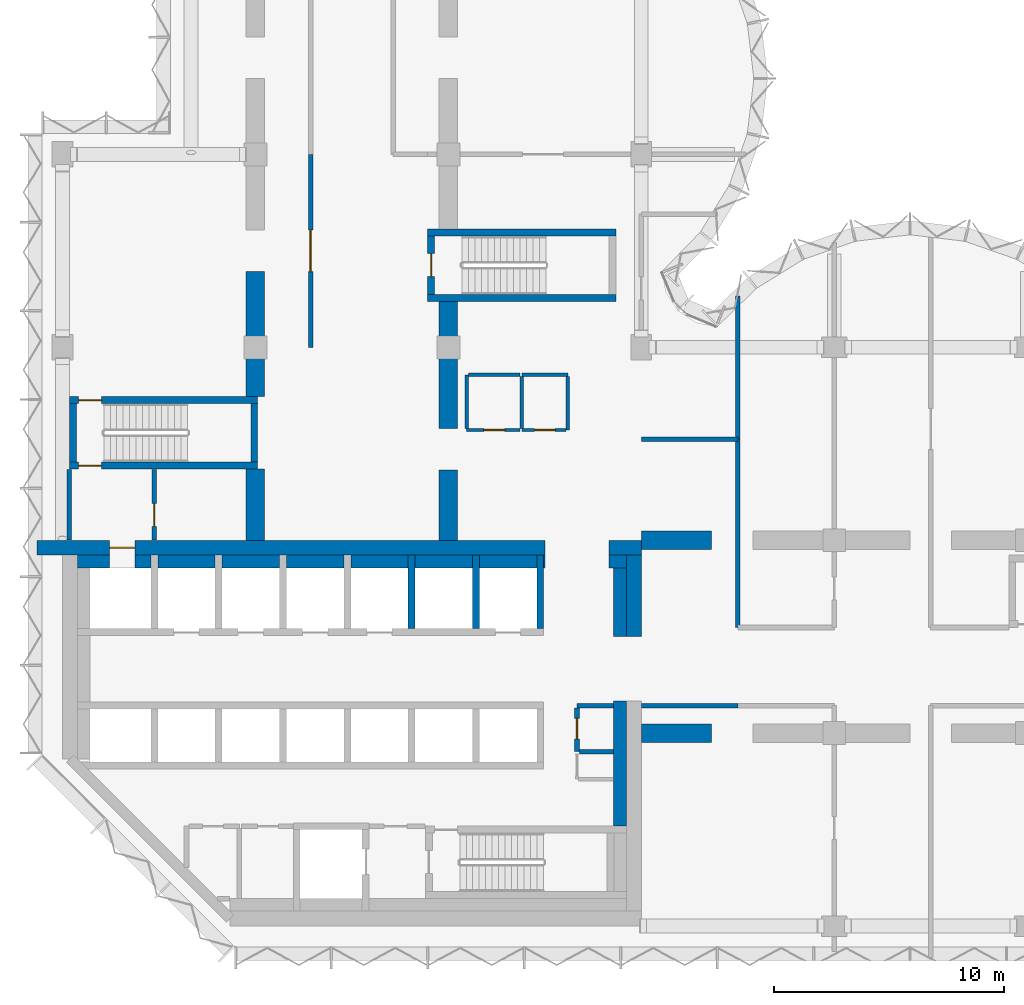
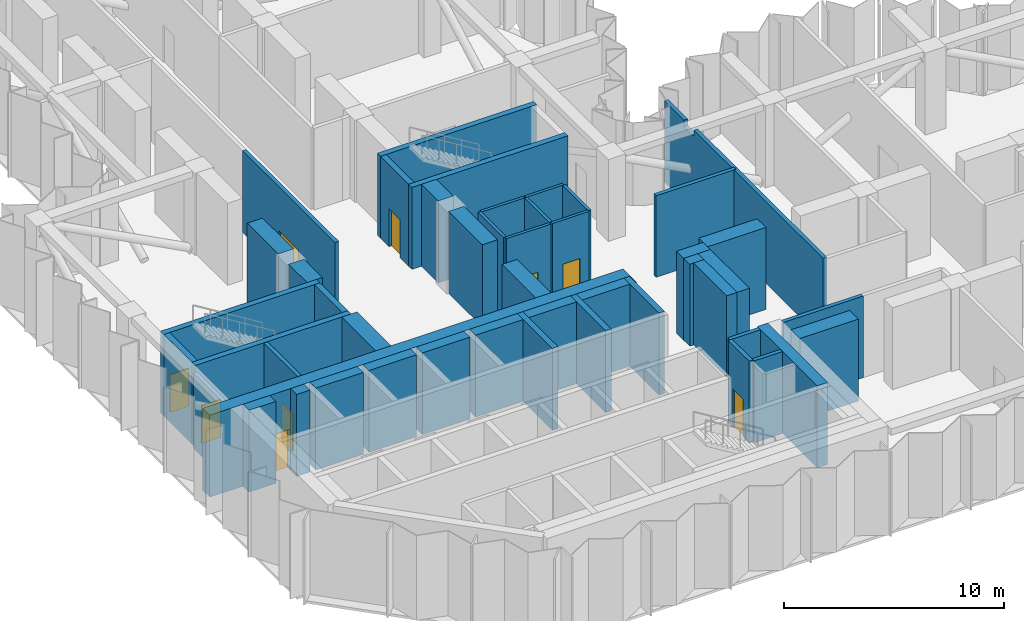
# One storey, part 5 of 13: 50 walls, 9 doors, 9 openings.
"""IFC4 building model written with IfcOpenShell, lengths in metres."""

from ifc_helpers import new_model, si_unit, direction, frame, frame_2d, origin, place, context, subcontext, project, spatial, polyline, rectangle, outline, extrude, material, layer, layer_set, type_object, element, fill, save


model = new_model("IFC4")

# Units and contexts
model_context = context("Model", 3, precision=1e-05, world=origin(), true_north=direction((0.0, 1.0)))
body_context = subcontext(model_context, "Body", "Model", "MODEL_VIEW")
ifc_project = project(units=[si_unit("LENGTHUNIT", "METRE"), si_unit("AREAUNIT", "SQUARE_METRE"), si_unit("VOLUMEUNIT", "CUBIC_METRE"), si_unit("PLANEANGLEUNIT", "RADIAN"), si_unit("MASSUNIT", "GRAM", prefix="KILO")], contexts=[model_context])

# Site, building, storey
site_placement = place(None, origin())
site = spatial("IfcSite", under=ifc_project, at=site_placement, CompositionType="ELEMENT")
building_placement = place(site_placement, origin())
building = spatial("IfcBuilding", under=site, at=building_placement, Name="Brevane Broadcast Tower", CompositionType="ELEMENT")
storey_placement = place(building_placement, frame((0.0, 0.0, 162.0)))
storey = spatial("IfcBuildingStorey", under=building, at=storey_placement, Name="L40", CompositionType="ELEMENT", Elevation=162.0)

# Walls
ifc_material_1 = material(Name="Concrete C32/40", Category="concrete")
ifc_layer_1 = layer(ifc_material_1, 0.550048828125)
ifc_layer_set_1 = layer_set([ifc_layer_1], Name="Core chase wall 550 mm")
wall_type_1 = type_object("IfcWallType", Name="Core chase wall 550 mm", PredefinedType="PARTITIONING", material=ifc_layer_set_1)
wall_1_placement = place(storey_placement, frame((24.27490234375, 12.60009765625, 0.0), z_axis=(0.0, 0.0, 1.0), x_axis=(0.0, 1.0, 0.0)))
element("IfcWall", 1, at=wall_1_placement, inside=storey, type_object=wall_type_1, Name="L40 chase wall LE2", PredefinedType="PARTITIONING", context=body_context, shape_type="SweptSolid", body=[
    extrude(rectangle(XDim=3.0, YDim=0.550048828125, at=frame_2d((1.5, 0.0))), origin(), (0.0, 0.0, 1.0), 4.550048828125),
])
wall_2_placement = place(storey_placement, frame((0.64990234375, 15.875, 0.0), z_axis=(0.0, 0.0, 1.0), x_axis=(1.0, 0.0, 0.0)))
element("IfcWall", 2, at=wall_2_placement, inside=storey, type_object=wall_type_1, Name="L40 chase wall LN0", PredefinedType="PARTITIONING", context=body_context, shape_type="SweptSolid", body=[
    extrude(rectangle(XDim=1.400146484375, YDim=0.550048828125, at=frame_2d((0.7001953125, 0.0))), origin(), (0.0, 0.0, 1.0), 4.550048828125),
])
wall_3_placement = place(storey_placement, frame((23.800048828125, 15.875, 0.0), z_axis=(0.0, 0.0, 1.0), x_axis=(1.0, 0.0, 0.0)))
element("IfcWall", 3, at=wall_3_placement, inside=storey, type_object=wall_type_1, Name="L40 chase wall LN2", PredefinedType="PARTITIONING", context=body_context, shape_type="SweptSolid", body=[
    extrude(rectangle(XDim=0.75, YDim=0.550048828125, at=frame_2d((0.375, 0.0))), origin(), (0.0, 0.0, 1.0), 4.550048828125),
])
wall_4_placement = place(storey_placement, frame((3.14990234375, 15.875, 0.0), z_axis=(0.0, 0.0, 1.0), x_axis=(1.0, 0.0, 0.0)))
element("IfcWall", 4, at=wall_4_placement, inside=storey, type_object=wall_type_1, Name="L40 chase wall LN1-1", PredefinedType="PARTITIONING", context=body_context, shape_type="SweptSolid", body=[
    extrude(rectangle(XDim=0.7001953125, YDim=0.550048828125, at=frame_2d((0.35009765625, 0.0))), origin(), (0.0, 0.0, 1.0), 4.550048828125),
])
for number, where, z_axis, x_axis, name in (
    (5, (4.14990234375, 15.875, 0.0), (0.0, 0.0, 1.0), (1.0, 0.0, 0.0), "L40 chase wall LN1-2-1"),
    (6, (6.949951171875, 15.875, 0.0), (0.0, 0.0, 1.0), (1.0, 0.0, 0.0), "L40 chase wall LN1-2-2-1"),
    (7, (9.75, 15.875, 0.0), (0.0, 0.0, 1.0), (1.0, 0.0, 0.0), "L40 chase wall LN1-2-2-2-1"),
    (8, (12.550048828125, 15.875, 0.0), (0.0, 0.0, 1.0), (1.0, 0.0, 0.0), "L40 chase wall LN1-2-2-2-2-1"),
    (9, (15.35009765625, 15.875, 0.0), (0.0, 0.0, 1.0), (1.0, 0.0, 0.0), "L40 chase wall LN1-2-2-2-2-2-1"),
    (10, (18.14990234375, 15.875, 0.0), (0.0, 0.0, 1.0), (1.0, 0.0, 0.0), "L40 chase wall LN1-2-2-2-2-2-2-1"),
):
    element("IfcWall", number, at=place(storey_placement, frame(where, z_axis=z_axis, x_axis=x_axis)), inside=storey, type_object=wall_type_1, Name=name, PredefinedType="PARTITIONING", context=body_context, shape_type="SweptSolid", body=[
        extrude(rectangle(XDim=2.5, YDim=0.550048828125, at=frame_2d((1.25, 0.0))), origin(), (0.0, 0.0, 1.0), 4.550048828125),
    ])
wall_5_placement = place(storey_placement, frame((20.949951171875, 15.875, 0.0), z_axis=(0.0, 0.0, 1.0), x_axis=(1.0, 0.0, 0.0)))
element("IfcWall", 11, at=wall_5_placement, inside=storey, type_object=wall_type_1, Name="L40 chase wall LN1-2-2-2-2-2-2-2", PredefinedType="PARTITIONING", context=body_context, shape_type="SweptSolid", body=[
    extrude(rectangle(XDim=0.050048828125, YDim=0.550048828125, at=frame_2d((0.02490234375, 0.0))), origin(), (0.0, 0.0, 1.0), 4.550048828125),
])
wall_6_placement = place(storey_placement, frame((24.27490234375, 4.35009765625, 0.0), z_axis=(0.0, 0.0, 1.0), x_axis=(0.0, 1.0, 0.0)))
element("IfcWall", 12, at=wall_6_placement, inside=storey, type_object=wall_type_1, Name="L40 chase wall LE1-2-2", PredefinedType="PARTITIONING", context=body_context, shape_type="SweptSolid", body=[
    extrude(rectangle(XDim=5.449951171875, YDim=0.550048828125, at=frame_2d((2.72509765625, 0.0))), origin(), (0.0, 0.0, 1.0), 4.550048828125),
])
ifc_material_2 = material(Name="Gypsum board on steel studs", Category="steel")
ifc_layer_2 = layer(ifc_material_2, 0.14990234375)
ifc_layer_set_2 = layer_set([ifc_layer_2], Name="Core fire partition 150 mm")
wall_type_2 = type_object("IfcWallType", Name="Core fire partition 150 mm", PredefinedType="PARTITIONING", material=ifc_layer_set_2)
wall_7_placement = place(storey_placement, frame((20.0, 24.0, 0.0), z_axis=(0.0, 0.0, 1.0), x_axis=(1.0, 0.0, 0.0)))
element("IfcWall", 13, at=wall_7_placement, inside=storey, type_object=wall_type_2, Name="L40 partition wall P12", PredefinedType="PARTITIONING", context=body_context, shape_type="SweptSolid", body=[
    extrude(rectangle(XDim=2.0, YDim=0.14990234375, at=frame_2d((1.0, 0.0))), origin(), (0.0, 0.0, 1.0), 4.550048828125),
])
wall_8_placement = place(storey_placement, frame((22.0, 23.925048828125, 0.0), z_axis=(0.0, 0.0, 1.0), x_axis=(0.0, -1.0, 0.0)))
element("IfcWall", 14, at=wall_8_placement, inside=storey, type_object=wall_type_2, Name="L40 partition wall P13", PredefinedType="PARTITIONING", context=body_context, shape_type="SweptSolid", body=[
    extrude(rectangle(XDim=2.324951171875, YDim=0.14990234375, at=frame_2d((1.16259765625, 0.0))), origin(), (0.0, 0.0, 1.0), 4.550048828125),
])

# Wall, opening, door
wall_9_placement = place(storey_placement, frame((21.925048828125, 21.60009765625, 0.0), z_axis=(0.0, 0.0, 1.0), x_axis=(-1.0, 0.0, 0.0)))
wall_9 = element("IfcWall", 15, at=wall_9_placement, inside=storey, type_object=wall_type_2, Name="L40 partition wall P14", PredefinedType="PARTITIONING", context=body_context, shape_type="SweptSolid", body=[
    extrude(rectangle(XDim=1.925048828125, YDim=0.14990234375, at=frame_2d((0.96240234375, 0.0))), origin(), (0.0, 0.0, 1.0), 4.550048828125),
])
opening_1_placement = place(wall_9_placement, frame((0.47509765625, 0.0, 0.0)))
opening_1 = element("IfcOpeningElement", 16, at=opening_1_placement, cuts=wall_9, Name="Opening L40-K20", PredefinedType="OPENING", context=body_context, shape_type="SweptSolid", body=[
    extrude(rectangle(XDim=0.89990234375, YDim=2.10009765625, at=frame_2d((0.449951171875, 1.050048828125))), frame((0.0, 0.0849609375, 0.0), z_axis=(0.0, -1.0, 0.0), x_axis=(1.0, 0.0, 0.0)), (0.0, 0.0, 1.0), 0.169921875),
])
ifc_material_3 = material(Name="Timber", Category="wood")
door_type_1 = type_object("IfcDoorType", Name="Toilet door 900 x 2100", OperationType="SINGLE_SWING_LEFT", PredefinedType="DOOR", material=ifc_material_3)
door_1_placement = place(opening_1_placement, origin())
door_1 = element("IfcDoor", 17, at=door_1_placement, inside=storey, type_object=door_type_1, Name="Door L40-K20", OperationType="SINGLE_SWING_RIGHT", OverallHeight=2.10009765625, OverallWidth=0.89990234375, PredefinedType="DOOR", context=body_context, shape_type="SweptSolid", body=[
    extrude(rectangle(XDim=0.89990234375, YDim=2.10009765625, at=frame_2d((0.449951171875, 1.050048828125))), frame((0.0, 0.02490234375, 0.0), z_axis=(0.0, -1.0, 0.0), x_axis=(1.0, 0.0, 0.0)), (0.0, 0.0, 1.0), 0.050048828125),
])
fill(opening_1, door_1)

# Wall
wall_10_placement = place(storey_placement, frame((20.0, 21.675048828125, 0.0), z_axis=(0.0, 0.0, 1.0), x_axis=(0.0, 1.0, 0.0)))
element("IfcWall", 18, at=wall_10_placement, inside=storey, type_object=wall_type_2, Name="L40 partition wall P15", PredefinedType="PARTITIONING", context=body_context, shape_type="SweptSolid", body=[
    extrude(rectangle(XDim=2.25, YDim=0.14990234375, at=frame_2d((1.125, 0.0))), origin(), (0.0, 0.0, 1.0), 4.550048828125),
])

# Wall, opening, door
wall_11_placement = place(storey_placement, frame((19.925048828125, 21.60009765625, 0.0), z_axis=(0.0, 0.0, 1.0), x_axis=(-1.0, 0.0, 0.0)))
wall_11 = element("IfcWall", 19, at=wall_11_placement, inside=storey, type_object=wall_type_2, Name="L40 partition wall P16", PredefinedType="PARTITIONING", context=body_context, shape_type="SweptSolid", body=[
    extrude(rectangle(XDim=2.324951171875, YDim=0.14990234375, at=frame_2d((1.16259765625, 0.0))), origin(), (0.0, 0.0, 1.0), 4.550048828125),
])
opening_2_placement = place(wall_11_placement, frame((0.675048828125, 0.0, 0.0)))
opening_2 = element("IfcOpeningElement", 20, at=opening_2_placement, cuts=wall_11, Name="Opening L40-K21", PredefinedType="OPENING", context=body_context, shape_type="SweptSolid", body=[
    extrude(rectangle(XDim=0.89990234375, YDim=2.10009765625, at=frame_2d((0.449951171875, 1.050048828125))), frame((0.0, 0.0849609375, 0.0), z_axis=(0.0, -1.0, 0.0), x_axis=(1.0, 0.0, 0.0)), (0.0, 0.0, 1.0), 0.169921875),
])
ifc_material_4 = material(Name="Steel", Category="steel")
door_type_2 = type_object("IfcDoorType", Name="Service room door 900 x 2100", OperationType="SINGLE_SWING_LEFT", PredefinedType="DOOR", material=ifc_material_4)
door_2_placement = place(opening_2_placement, origin())
door_2 = element("IfcDoor", 21, at=door_2_placement, inside=storey, type_object=door_type_2, Name="Door L40-K21", OperationType="SINGLE_SWING_LEFT", OverallHeight=2.10009765625, OverallWidth=0.89990234375, PredefinedType="DOOR", context=body_context, shape_type="SweptSolid", body=[
    extrude(rectangle(XDim=0.89990234375, YDim=2.10009765625, at=frame_2d((0.449951171875, 1.050048828125))), frame((0.0, 0.02490234375, 0.0), z_axis=(0.0, -1.0, 0.0), x_axis=(1.0, 0.0, 0.0)), (0.0, 0.0, 1.0), 0.050048828125),
])
fill(opening_2, door_2)

# Walls
wall_12_placement = place(storey_placement, frame((17.60009765625, 21.675048828125, 0.0), z_axis=(0.0, 0.0, 1.0), x_axis=(0.0, 1.0, 0.0)))
element("IfcWall", 22, at=wall_12_placement, inside=storey, type_object=wall_type_2, Name="L40 partition wall P17", PredefinedType="PARTITIONING", context=body_context, shape_type="SweptSolid", body=[
    extrude(rectangle(XDim=2.324951171875, YDim=0.14990234375, at=frame_2d((1.16259765625, 0.0))), origin(), (0.0, 0.0, 1.0), 4.550048828125),
])
wall_13_placement = place(storey_placement, frame((17.675048828125, 24.0, 0.0), z_axis=(0.0, 0.0, 1.0), x_axis=(1.0, 0.0, 0.0)))
element("IfcWall", 23, at=wall_13_placement, inside=storey, type_object=wall_type_2, Name="L40 partition wall P18", PredefinedType="PARTITIONING", context=body_context, shape_type="SweptSolid", body=[
    extrude(rectangle(XDim=2.25, YDim=0.14990234375, at=frame_2d((1.125, 0.0))), origin(), (0.0, 0.0, 1.0), 4.550048828125),
])
ifc_layer_3 = layer(ifc_material_2, 0.199951171875)
ifc_layer_set_3 = layer_set([ifc_layer_3], Name="Core fire partition 200 mm")
wall_type_3 = type_object("IfcWallType", Name="Core fire partition 200 mm", PredefinedType="PARTITIONING", material=ifc_layer_set_3)
wall_14_placement = place(storey_placement, frame((0.300048828125, 16.81201171875, 0.0), z_axis=(0.0, 0.0, 1.0), x_axis=(0.0, 1.0, 0.0)))
element("IfcWall", 24, at=wall_14_placement, inside=storey, type_object=wall_type_3, Name="L40 partition wall P01", PredefinedType="PARTITIONING", context=body_context, shape_type="SweptSolid", body=[
    extrude(rectangle(XDim=3.075927734375, YDim=0.199951171875, at=frame_2d((1.5380859375, 0.0))), origin(), (0.0, 0.0, 1.0), 4.179931640625),
])

# Wall, opening, door
wall_15_placement = place(storey_placement, frame((4.0, 19.887939453125, 0.0), z_axis=(0.0, 0.0, 1.0), x_axis=(0.0, -1.0, 0.0)))
wall_15 = element("IfcWall", 25, at=wall_15_placement, inside=storey, type_object=wall_type_3, Name="L40 partition wall P02", PredefinedType="PARTITIONING", context=body_context, shape_type="SweptSolid", body=[
    extrude(rectangle(XDim=3.075927734375, YDim=0.199951171875, at=frame_2d((1.5380859375, 0.0))), origin(), (0.0, 0.0, 1.0), 4.550048828125),
])
opening_3_placement = place(wall_15_placement, frame((1.488037109375, 0.0, 0.0)))
opening_3 = element("IfcOpeningElement", 26, at=opening_3_placement, cuts=wall_15, Name="Opening L40-K19", PredefinedType="OPENING", context=body_context, shape_type="SweptSolid", body=[
    extrude(rectangle(XDim=1.0, YDim=2.10009765625, at=frame_2d((0.5, 1.050048828125))), frame((0.0, 0.10986328125, 0.0), z_axis=(0.0, -1.0, 0.0), x_axis=(1.0, 0.0, 0.0)), (0.0, 0.0, 1.0), 0.219970703125),
])
door_type_3 = type_object("IfcDoorType", Name="Stair door 1000 x 2100", OperationType="SINGLE_SWING_LEFT", PredefinedType="DOOR", material=ifc_material_4)
door_3_placement = place(opening_3_placement, origin())
door_3 = element("IfcDoor", 27, at=door_3_placement, inside=storey, type_object=door_type_3, Name="Door L40-K19", OperationType="SINGLE_SWING_LEFT", OverallHeight=2.10009765625, OverallWidth=1.0, PredefinedType="DOOR", context=body_context, shape_type="SweptSolid", body=[
    extrude(rectangle(XDim=1.0, YDim=2.10009765625, at=frame_2d((0.5, 1.050048828125))), frame((0.0, 0.02490234375, 0.0), z_axis=(0.0, -1.0, 0.0), x_axis=(1.0, 0.0, 0.0)), (0.0, 0.0, 1.0), 0.050048828125),
])
fill(opening_3, door_3)

# Wall
wall_16_placement = place(storey_placement, frame((23.988037109375, 9.60009765625, 0.0), z_axis=(0.0, 0.0, 1.0), x_axis=(-1.0, 0.0, 0.0)))
element("IfcWall", 28, at=wall_16_placement, inside=storey, type_object=wall_type_3, Name="L40 partition wall P09", PredefinedType="PARTITIONING", context=body_context, shape_type="SweptSolid", body=[
    extrude(rectangle(XDim=1.588134765625, YDim=0.199951171875, at=frame_2d((0.7939453125, 0.0))), origin(), (0.0, 0.0, 1.0), 4.550048828125),
])

# Wall, opening, door
wall_17_placement = place(storey_placement, frame((22.39990234375, 9.5, 0.0), z_axis=(0.0, 0.0, 1.0), x_axis=(0.0, -1.0, 0.0)))
wall_17 = element("IfcWall", 29, at=wall_17_placement, inside=storey, type_object=wall_type_3, Name="L40 partition wall P10", PredefinedType="PARTITIONING", context=body_context, shape_type="SweptSolid", body=[
    extrude(rectangle(XDim=1.89990234375, YDim=0.199951171875, at=frame_2d((0.949951171875, 0.0))), origin(), (0.0, 0.0, 1.0), 4.550048828125),
])
opening_4_placement = place(wall_17_placement, frame((0.449951171875, 0.0, 0.0)))
opening_4 = element("IfcOpeningElement", 30, at=opening_4_placement, cuts=wall_17, Name="Opening L40-K18", PredefinedType="OPENING", context=body_context, shape_type="SweptSolid", body=[
    extrude(rectangle(XDim=0.89990234375, YDim=2.10009765625, at=frame_2d((0.449951171875, 1.050048828125))), frame((0.0, 0.10986328125, 0.0), z_axis=(0.0, -1.0, 0.0), x_axis=(1.0, 0.0, 0.0)), (0.0, 0.0, 1.0), 0.219970703125),
])
door_4_placement = place(opening_4_placement, origin())
door_4 = element("IfcDoor", 31, at=door_4_placement, inside=storey, type_object=door_type_2, Name="Door L40-K18", OperationType="SINGLE_SWING_RIGHT", OverallHeight=2.10009765625, OverallWidth=0.89990234375, PredefinedType="DOOR", context=body_context, shape_type="SweptSolid", body=[
    extrude(rectangle(XDim=0.89990234375, YDim=2.10009765625, at=frame_2d((0.449951171875, 1.050048828125))), frame((0.0, 0.02490234375, 0.0), z_axis=(0.0, -1.0, 0.0), x_axis=(1.0, 0.0, 0.0)), (0.0, 0.0, 1.0), 0.050048828125),
])
fill(opening_4, door_4)

# Walls
wall_18_placement = place(storey_placement, frame((22.5, 7.60009765625, 0.0), z_axis=(0.0, 0.0, 1.0), x_axis=(1.0, 0.0, 0.0)))
element("IfcWall", 32, at=wall_18_placement, inside=storey, type_object=wall_type_3, Name="L40 partition wall P11", PredefinedType="PARTITIONING", context=body_context, shape_type="SweptSolid", body=[
    extrude(rectangle(XDim=1.488037109375, YDim=0.199951171875, at=frame_2d((0.744140625, 0.0))), origin(), (0.0, 0.0, 1.0), 4.550048828125),
])
ifc_material_5 = material(Name="Concrete C60/75", Category="concrete")
ifc_layer_4 = layer(ifc_material_5, 0.300048828125)
ifc_layer_set_4 = layer_set([ifc_layer_4], Name="Core wall 300 mm C60/75")
wall_type_4 = type_object("IfcWallType", Name="Core wall 300 mm C60/75", PredefinedType="SHEAR", material=ifc_layer_set_4)
for number, where, z_axis, x_axis, name in (
    (33, (15.199951171875, 12.949951171875, 0.0), (0.0, 0.0, 1.0), (0.0, 1.0, 0.0), "L40 shaft wall SH-N-P152"),
    (34, (18.0, 12.949951171875, 0.0), (0.0, 0.0, 1.0), (0.0, 1.0, 0.0), "L40 shaft wall SH-N-P180"),
    (35, (20.800048828125, 12.949951171875, 0.0), (0.0, 0.0, 1.0), (0.0, 1.0, 0.0), "L40 shaft wall SH-N-P208"),
):
    element("IfcWall", number, at=place(storey_placement, frame(where, z_axis=z_axis, x_axis=x_axis)), inside=storey, type_object=wall_type_4, Name=name, PredefinedType="SHEAR", context=body_context, shape_type="SweptSolid", body=[
        extrude(rectangle(XDim=3.199951171875, YDim=0.300048828125, at=frame_2d((1.60009765625, 0.0))), origin(), (0.0, 0.0, 1.0), 4.550048828125),
    ])

# Wall, opening, door
wall_19_placement = place(storey_placement, frame((8.5, 20.050048828125, 0.0), z_axis=(0.0, 0.0, 1.0), x_axis=(-1.0, 0.0, 0.0)))
wall_19 = element("IfcWall", 36, at=wall_19_placement, inside=storey, type_object=wall_type_4, Name="L40 stair wall ST-1-S", PredefinedType="SHEAR", context=body_context, shape_type="SweptSolid", body=[
    extrude(rectangle(XDim=8.199951171875, YDim=0.300048828125, at=frame_2d((4.10009765625, 0.0))), origin(), (0.0, 0.0, 1.0), 4.550048828125),
])
opening_5_placement = place(wall_19_placement, frame((6.800048828125, 0.0, 0.0)))
opening_5 = element("IfcOpeningElement", 37, at=opening_5_placement, cuts=wall_19, Name="Opening L40-K08", PredefinedType="OPENING", context=body_context, shape_type="SweptSolid", body=[
    extrude(rectangle(XDim=1.0, YDim=2.10009765625, at=frame_2d((0.5, 1.050048828125))), frame((0.0, 0.159912109375, 0.0), z_axis=(0.0, -1.0, 0.0), x_axis=(1.0, 0.0, 0.0)), (0.0, 0.0, 1.0), 0.320068359375),
])
door_5_placement = place(opening_5_placement, origin())
door_5 = element("IfcDoor", 38, at=door_5_placement, inside=storey, type_object=door_type_3, Name="Door L40-K08", OperationType="SINGLE_SWING_RIGHT", OverallHeight=2.10009765625, OverallWidth=1.0, PredefinedType="DOOR", context=body_context, shape_type="SweptSolid", body=[
    extrude(rectangle(XDim=1.0, YDim=2.10009765625, at=frame_2d((0.5, 1.050048828125))), frame((0.0, 0.02490234375, 0.0), z_axis=(0.0, -1.0, 0.0), x_axis=(1.0, 0.0, 0.0)), (0.0, 0.0, 1.0), 0.050048828125),
])
fill(opening_5, door_5)

wall_20_placement = place(storey_placement, frame((0.300048828125, 22.89990234375, 0.0), z_axis=(0.0, 0.0, 1.0), x_axis=(1.0, 0.0, 0.0)))
wall_20 = element("IfcWall", 39, at=wall_20_placement, inside=storey, type_object=wall_type_4, Name="L40 stair wall ST-1-N", PredefinedType="SHEAR", context=body_context, shape_type="SweptSolid", body=[
    extrude(rectangle(XDim=8.199951171875, YDim=0.300048828125, at=frame_2d((4.10009765625, 0.0))), origin(), (0.0, 0.0, 1.0), 4.550048828125),
])
opening_6_placement = place(wall_20_placement, frame((0.39990234375, 0.0, 0.0)))
opening_6 = element("IfcOpeningElement", 40, at=opening_6_placement, cuts=wall_20, Name="Opening L40-K09", PredefinedType="OPENING", context=body_context, shape_type="SweptSolid", body=[
    extrude(rectangle(XDim=1.0, YDim=2.10009765625, at=frame_2d((0.5, 1.050048828125))), frame((0.0, 0.159912109375, 0.0), z_axis=(0.0, -1.0, 0.0), x_axis=(1.0, 0.0, 0.0)), (0.0, 0.0, 1.0), 0.320068359375),
])
door_6_placement = place(opening_6_placement, origin())
door_6 = element("IfcDoor", 41, at=door_6_placement, inside=storey, type_object=door_type_3, Name="Door L40-K09", OperationType="SINGLE_SWING_LEFT", OverallHeight=2.10009765625, OverallWidth=1.0, PredefinedType="DOOR", context=body_context, shape_type="SweptSolid", body=[
    extrude(rectangle(XDim=1.0, YDim=2.10009765625, at=frame_2d((0.5, 1.050048828125))), frame((0.0, 0.02490234375, 0.0), z_axis=(0.0, -1.0, 0.0), x_axis=(1.0, 0.0, 0.0)), (0.0, 0.0, 1.0), 0.050048828125),
])
fill(opening_6, door_6)

# Walls
for number, where, z_axis, x_axis, name in (
    (42, (0.449951171875, 20.199951171875, 0.0), (0.0, 0.0, 1.0), (0.0, 1.0, 0.0), "L40 stair wall ST-1-W"),
    (43, (8.35009765625, 20.199951171875, 0.0), (0.0, 0.0, 1.0), (0.0, 1.0, 0.0), "L40 stair wall ST-1-E"),
):
    element("IfcWall", number, at=place(storey_placement, frame(where, z_axis=z_axis, x_axis=x_axis)), inside=storey, type_object=wall_type_4, Name=name, PredefinedType="SHEAR", context=body_context, shape_type="SweptSolid", body=[
        extrude(rectangle(XDim=2.550048828125, YDim=0.300048828125, at=frame_2d((1.27490234375, 0.0))), origin(), (0.0, 0.0, 1.0), 4.550048828125),
    ])
for number, where, z_axis, x_axis, name in (
    (44, (15.89990234375, 27.35009765625, 0.0), (0.0, 0.0, 1.0), (1.0, 0.0, 0.0), "L40 stair wall ST-3-S"),
    (45, (15.89990234375, 30.199951171875, 0.0), (0.0, 0.0, 1.0), (1.0, 0.0, 0.0), "L40 stair wall ST-3-N"),
):
    element("IfcWall", number, at=place(storey_placement, frame(where, z_axis=z_axis, x_axis=x_axis)), inside=storey, type_object=wall_type_4, Name=name, PredefinedType="SHEAR", context=body_context, shape_type="SweptSolid", body=[
        extrude(rectangle(XDim=8.2001953125, YDim=0.300048828125, at=frame_2d((4.10009765625, 0.0))), origin(), (0.0, 0.0, 1.0), 4.550048828125),
    ])

# Wall, opening, door
wall_21_placement = place(storey_placement, frame((16.050048828125, 27.5, 0.0), z_axis=(0.0, 0.0, 1.0), x_axis=(0.0, 1.0, 0.0)))
wall_21 = element("IfcWall", 46, at=wall_21_placement, inside=storey, type_object=wall_type_4, Name="L40 stair wall ST-3-W", PredefinedType="SHEAR", context=body_context, shape_type="SweptSolid", body=[
    extrude(rectangle(XDim=2.550048828125, YDim=0.300048828125, at=frame_2d((1.27490234375, 0.0))), origin(), (0.0, 0.0, 1.0), 4.550048828125),
])
opening_7_placement = place(wall_21_placement, frame((0.77490234375, 0.0, 0.0)))
opening_7 = element("IfcOpeningElement", 47, at=opening_7_placement, cuts=wall_21, Name="Opening L40-K12", PredefinedType="OPENING", context=body_context, shape_type="SweptSolid", body=[
    extrude(rectangle(XDim=1.0, YDim=2.10009765625, at=frame_2d((0.5, 1.050048828125))), frame((0.0, 0.159912109375, 0.0), z_axis=(0.0, -1.0, 0.0), x_axis=(1.0, 0.0, 0.0)), (0.0, 0.0, 1.0), 0.320068359375),
])
door_7_placement = place(opening_7_placement, origin())
door_7 = element("IfcDoor", 48, at=door_7_placement, inside=storey, type_object=door_type_3, Name="Door L40-K12", OperationType="SINGLE_SWING_RIGHT", OverallHeight=2.10009765625, OverallWidth=1.0, PredefinedType="DOOR", context=body_context, shape_type="SweptSolid", body=[
    extrude(rectangle(XDim=1.0, YDim=2.10009765625, at=frame_2d((0.5, 1.050048828125))), frame((0.0, 0.02490234375, 0.0), z_axis=(0.0, -1.0, 0.0), x_axis=(1.0, 0.0, 0.0)), (0.0, 0.0, 1.0), 0.050048828125),
])
fill(opening_7, door_7)

ifc_layer_5 = layer(ifc_material_5, 0.64990234375)
ifc_layer_set_5 = layer_set([ifc_layer_5], Name="Core wall 650 mm C60/75")
wall_type_5 = type_object("IfcWallType", Name="Core wall 650 mm C60/75", PredefinedType="SHEAR", material=ifc_layer_set_5)
wall_22_placement = place(storey_placement, frame((-1.10009765625, 16.47509765625, 0.0), z_axis=(0.0, 0.0, 1.0), x_axis=(1.0, 0.0, 0.0)))
wall_22 = element("IfcWall", 49, at=wall_22_placement, inside=storey, type_object=wall_type_5, Name="L40 outer wall WN1", PredefinedType="SHEAR", context=body_context, shape_type="SweptSolid", body=[
    extrude(rectangle(XDim=22.10009765625, YDim=0.64990234375, at=frame_2d((11.050048828125, 0.0))), origin(), (0.0, 0.0, 1.0), 4.550048828125),
])
opening_8_placement = place(wall_22_placement, frame((3.14990234375, 0.0, 0.0)))
opening_8 = element("IfcOpeningElement", 50, at=opening_8_placement, cuts=wall_22, Name="Opening LD", PredefinedType="OPENING", context=body_context, shape_type="SweptSolid", body=[
    extrude(rectangle(XDim=1.10009765625, YDim=2.300048828125, at=frame_2d((0.550048828125, 1.14990234375))), frame((0.0, 0.3349609375, 0.0), z_axis=(0.0, -1.0, 0.0), x_axis=(1.0, 0.0, 0.0)), (0.0, 0.0, 1.0), 0.669921875),
])
ifc_material_6 = material(Name="Stainless steel", Category="steel")
door_type_4 = type_object("IfcDoorType", Name="Lift landing door", OperationType="SLIDING_TO_LEFT", PredefinedType="DOOR", material=ifc_material_6)
door_8_placement = place(opening_8_placement, origin())
door_8 = element("IfcDoor", 51, at=door_8_placement, inside=storey, type_object=door_type_4, Name="Landing door FF1 L40", OperationType="SLIDING_TO_LEFT", OverallHeight=2.300048828125, OverallWidth=1.10009765625, PredefinedType="DOOR", context=body_context, shape_type="SweptSolid", body=[
    extrude(rectangle(XDim=1.10009765625, YDim=2.300048828125, at=frame_2d((0.550048828125, 1.14990234375))), frame((0.0, 0.02490234375, 0.0), z_axis=(0.0, -1.0, 0.0), x_axis=(1.0, 0.0, 0.0)), (0.0, 0.0, 1.0), 0.050048828125),
])
fill(opening_8, door_8)

# Walls
wall_23_placement = place(storey_placement, frame((23.800048828125, 16.47509765625, 0.0), z_axis=(0.0, 0.0, 1.0), x_axis=(1.0, 0.0, 0.0)))
element("IfcWall", 52, at=wall_23_placement, inside=storey, type_object=wall_type_5, Name="L40 outer wall WN2", PredefinedType="SHEAR", context=body_context, shape_type="SweptSolid", body=[
    extrude(rectangle(XDim=1.39990234375, YDim=0.64990234375, at=frame_2d((0.699951171875, 0.0))), origin(), (0.0, 0.0, 1.0), 4.550048828125),
])
wall_24_placement = place(storey_placement, frame((24.875, 12.60009765625, 0.0), z_axis=(0.0, 0.0, 1.0), x_axis=(0.0, 1.0, 0.0)))
element("IfcWall", 53, at=wall_24_placement, inside=storey, type_object=wall_type_5, Name="L40 outer wall WE2", PredefinedType="SHEAR", context=body_context, shape_type="SweptSolid", body=[
    extrude(rectangle(XDim=3.5498046875, YDim=0.64990234375, at=frame_2d((1.77490234375, 0.0))), origin(), (0.0, 0.0, 1.0), 4.550048828125),
])
ifc_material_7 = material(Name="Gypsum board partition")
ifc_layer_6 = layer(ifc_material_7, 0.199951171875)
ifc_layer_set_6 = layer_set([ifc_layer_6], Name="PARTITION 200 EI 120")
wall_type_6 = type_object("IfcWallType", Name="PARTITION 200 EI 120", PredefinedType="PARTITIONING", material=ifc_layer_set_6)
for number, where, z_axis, x_axis, name in (
    (54, (25.199951171875, 21.199951171875, 0.0), (0.0, 0.0, 1.0), (1.0, 0.0, 0.0), "Partition R2-001"),
    (55, (29.39990234375, 9.60009765625, 0.0), (0.0, 0.0, 1.0), (-1.0, 0.0, 0.0), "Partition R2-002"),
):
    element("IfcWall", number, at=place(storey_placement, frame(where, z_axis=z_axis, x_axis=x_axis)), inside=storey, type_object=wall_type_6, Name=name, PredefinedType="PARTITIONING", context=body_context, shape_type="SweptSolid", body=[
        extrude(rectangle(XDim=4.199951171875, YDim=0.199951171875, at=frame_2d((2.10009765625, 0.0))), origin(), (0.0, 0.0, 1.0), 4.530029296875),
    ])
wall_25_placement = place(storey_placement, frame((29.39990234375, 21.199951171875, 0.0), z_axis=(0.0, 0.0, 1.0), x_axis=(0.0, -1.0, 0.0)))
element("IfcWall", 56, at=wall_25_placement, inside=storey, type_object=wall_type_6, Name="Partition R2-003", PredefinedType="PARTITIONING", context=body_context, shape_type="SweptSolid", body=[
    extrude(rectangle(XDim=8.199951171875, YDim=0.199951171875, at=frame_2d((4.10009765625, 0.0))), origin(), (0.0, 0.0, 1.0), 4.530029296875),
])
wall_26_placement = place(storey_placement, frame((29.39990234375, 27.435546875, 0.0), z_axis=(0.0, 0.0, 1.0), x_axis=(0.0, -1.0, 0.0)))
element("IfcWall", 57, at=wall_26_placement, inside=storey, type_object=wall_type_6, Name="Partition R2-004", PredefinedType="PARTITIONING", context=body_context, shape_type="SweptSolid", body=[
    extrude(outline(polyline([(0.0, 0.0), (6.235595703125, 0.0), (6.235595703125, 4.530029296875), (2.685546875, 4.530029296875), (2.68359375, 4.179931640625), (1.78759765625, 4.179931640625), (1.78564453125, 4.530029296875), (0.16064453125, 4.530029296875), (0.0, 4.530029296875), (0.0, 0.0)])), frame((0.0, 0.10009765625, 0.0), z_axis=(0.0, -1.0, 0.0), x_axis=(1.0, 0.0, 0.0)), (0.0, 0.0, 1.0), 0.199951171875),
])

# Wall, opening, door
wall_27_placement = place(storey_placement, frame((10.800048828125, 25.199951171875, 0.0), z_axis=(0.0, 0.0, 1.0), x_axis=(0.0, 1.0, 0.0)))
wall_27 = element("IfcWall", 58, at=wall_27_placement, inside=storey, type_object=wall_type_6, Name="Partition R2-027", PredefinedType="PARTITIONING", context=body_context, shape_type="SweptSolid", body=[
    extrude(rectangle(XDim=8.400146484375, YDim=0.199951171875, at=frame_2d((4.2001953125, 0.0))), origin(), (0.0, 0.0, 1.0), 4.530029296875),
])
opening_9_placement = place(wall_27_placement, frame((3.300048828125, 0.0, 0.0)))
opening_9 = element("IfcOpeningElement", 59, at=opening_9_placement, cuts=wall_27, Name="Opening D20-008", PredefinedType="OPENING", context=body_context, shape_type="SweptSolid", body=[
    extrude(rectangle(XDim=1.800048828125, YDim=2.10009765625, at=frame_2d((0.89990234375, 1.050048828125))), frame((0.0, 0.10986328125, 0.0), z_axis=(0.0, -1.0, 0.0), x_axis=(1.0, 0.0, 0.0)), (0.0, 0.0, 1.0), 0.219970703125),
])
ifc_material_8 = material(Name="Fire-rated timber door leaf", Category="wood")
door_type_5 = type_object("IfcDoorType", Name="DOOR DOUBLE 1800 FD60", OperationType="DOUBLE_DOOR_SINGLE_SWING", PredefinedType="DOOR", material=ifc_material_8)
door_9_placement = place(opening_9_placement, origin())
door_9 = element("IfcDoor", 60, at=door_9_placement, inside=storey, type_object=door_type_5, Name="Door D20-008", OperationType="DOUBLE_DOOR_SINGLE_SWING", OverallHeight=2.10009765625, OverallWidth=1.800048828125, PredefinedType="DOOR", context=body_context, shape_type="SweptSolid", body=[
    extrude(rectangle(XDim=1.800048828125, YDim=2.10009765625, at=frame_2d((0.89990234375, 1.050048828125))), frame((0.0, 0.02490234375, 0.0), z_axis=(0.0, -1.0, 0.0), x_axis=(1.0, 0.0, 0.0)), (0.0, 0.0, 1.0), 0.050048828125),
])
fill(opening_9, door_9)

# Walls
ifc_layer_7 = layer(ifc_material_5, 0.800048828125)
ifc_layer_set_7 = layer_set([ifc_layer_7], Name="RC OUTRIGGER WALL 800 C60/75")
wall_type_7 = type_object("IfcWallType", Name="RC OUTRIGGER WALL 800 C60/75", PredefinedType="SHEAR", material=ifc_layer_set_7)
for number, where, z_axis, x_axis, name in (
    (61, (25.199951171875, 8.39990234375, 0.0), (0.0, 0.0, 1.0), (1.0, 0.0, 0.0), "OR1 L40-1"),
    (62, (25.199951171875, 16.800048828125, 0.0), (0.0, 0.0, 1.0), (1.0, 0.0, 0.0), "OR1 L40-9"),
):
    element("IfcWall", number, at=place(storey_placement, frame(where, z_axis=z_axis, x_axis=x_axis)), inside=storey, type_object=wall_type_7, Name=name, PredefinedType="SHEAR", context=body_context, shape_type="SweptSolid", body=[
        extrude(rectangle(XDim=3.06494140625, YDim=0.800048828125, at=frame_2d((1.532470703125, 0.0))), origin(), (0.0, 0.0, 1.0), 4.550048828125),
    ])
wall_28_placement = place(storey_placement, frame((8.39990234375, 16.800048828125, 0.0), z_axis=(0.0, 0.0, 1.0), x_axis=(0.0, 1.0, 0.0)))
element("IfcWall", 63, at=wall_28_placement, inside=storey, type_object=wall_type_7, Name="OR1 L40-17", PredefinedType="SHEAR", context=body_context, shape_type="SweptSolid", body=[
    extrude(rectangle(XDim=3.099853515625, YDim=0.800048828125, at=frame_2d((1.5498046875, 0.0))), origin(), (0.0, 0.0, 1.0), 4.550048828125),
])
wall_29_placement = place(storey_placement, frame((8.39990234375, 23.050048828125, 0.0), z_axis=(0.0, 0.0, 1.0), x_axis=(0.0, 1.0, 0.0)))
element("IfcWall", 64, at=wall_29_placement, inside=storey, type_object=wall_type_7, Name="OR1 L40-18", PredefinedType="SHEAR", context=body_context, shape_type="SweptSolid", body=[
    extrude(rectangle(XDim=1.679931640625, YDim=0.800048828125, at=frame_2d((0.83984375, 0.0))), origin(), (0.0, 0.0, 1.0), 4.550048828125),
])
wall_30_placement = place(storey_placement, frame((8.39990234375, 25.669921875, 0.0), z_axis=(0.0, 0.0, 1.0), x_axis=(0.0, 1.0, 0.0)))
element("IfcWall", 65, at=wall_30_placement, inside=storey, type_object=wall_type_7, Name="OR1 L40-19", PredefinedType="SHEAR", context=body_context, shape_type="SweptSolid", body=[
    extrude(rectangle(XDim=2.830078125, YDim=0.800048828125, at=frame_2d((1.4150390625, 0.0))), origin(), (0.0, 0.0, 1.0), 4.550048828125),
])
for number, where, z_axis, x_axis, name in (
    (66, (16.800048828125, 16.800048828125, 0.0), (0.0, 0.0, 1.0), (0.0, 1.0, 0.0), "OR1 L40-25"),
    (67, (16.800048828125, 21.6650390625, 0.0), (0.0, 0.0, 1.0), (0.0, 1.0, 0.0), "OR1 L40-26"),
):
    element("IfcWall", number, at=place(storey_placement, frame(where, z_axis=z_axis, x_axis=x_axis)), inside=storey, type_object=wall_type_7, Name=name, PredefinedType="SHEAR", context=body_context, shape_type="SweptSolid", body=[
        extrude(rectangle(XDim=3.06494140625, YDim=0.800048828125, at=frame_2d((1.532470703125, 0.0))), origin(), (0.0, 0.0, 1.0), 4.550048828125),
    ])
wall_31_placement = place(storey_placement, frame((16.800048828125, 25.669921875, 0.0), z_axis=(0.0, 0.0, 1.0), x_axis=(0.0, 1.0, 0.0)))
element("IfcWall", 68, at=wall_31_placement, inside=storey, type_object=wall_type_7, Name="OR1 L40-28", PredefinedType="SHEAR", context=body_context, shape_type="SweptSolid", body=[
    extrude(rectangle(XDim=1.530029296875, YDim=0.800048828125, at=frame_2d((0.76513671875, 0.0))), origin(), (0.0, 0.0, 1.0), 4.550048828125),
])

save(model, "model.ifc")
